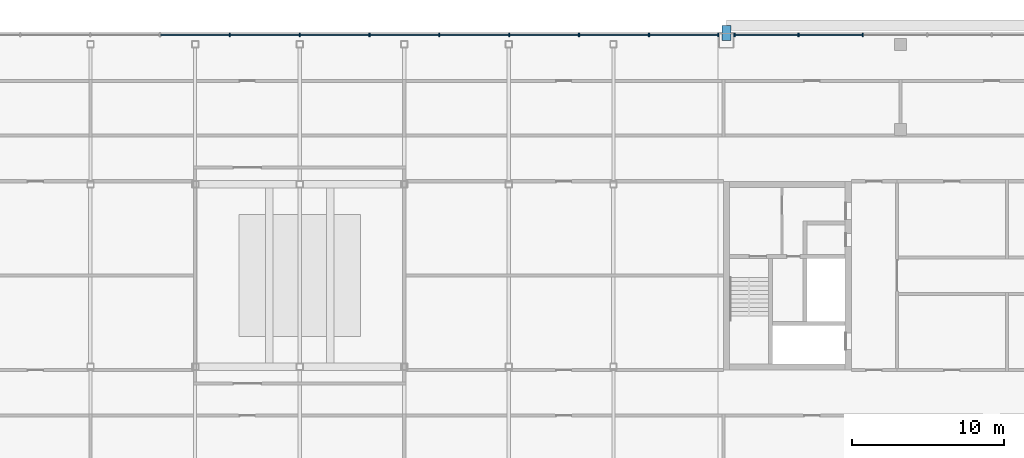
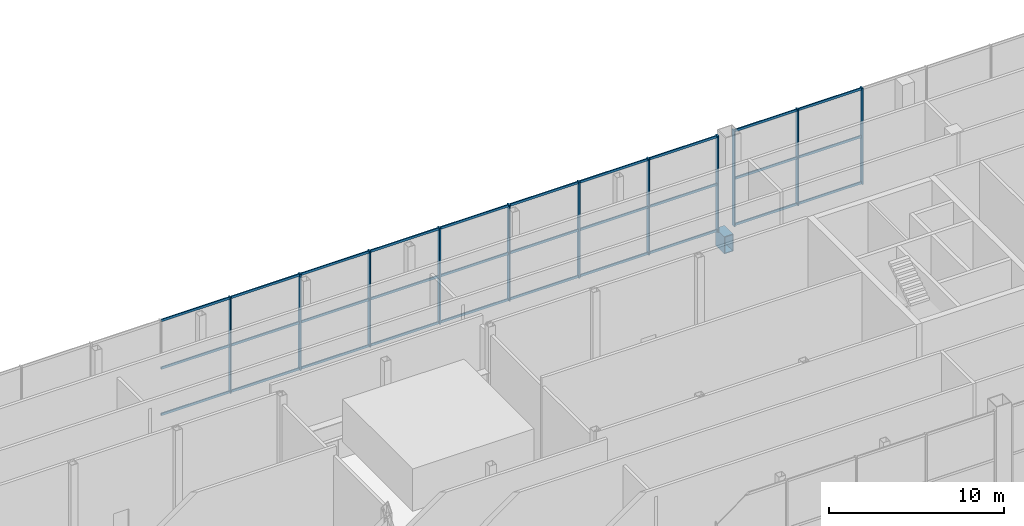
# One storey, part 11 of 27: 41 members, 1 beam, 2 elements without a shape of their own.
"""IFC4 building model written with IfcOpenShell, lengths in metres."""

import ifcopenshell
import ifcopenshell.guid

model = None  # the IFC model being written
_history = None  # IfcOwnerHistory: only IFC2X3 demands one
_inside = {}  # id of a spatial element -> (the spatial element, [elements in it])
_under = {}  # id of a project, library or spatial element -> (it, [spatial elements below it])
_declared = {}  # id of a project -> (the project, [libraries it declares])
_typed = {}  # id of a type object -> (the type object, [elements of that type])
_made_of = {}  # id of a material, layer set ... -> (it, [elements and type objects made of it])


def new_model(schema):
    """Start an empty IFC model of exactly this schema.

    Asked for "IFC4X3", IfcOpenShell would pick the latest addendum, in which some entities
    have other attributes; the version numbers below select the first issue.
    IFC2X3 requires an IfcOwnerHistory on every rooted entity: one is made here for all.
    """
    global model, _history
    if schema == "IFC4X3":
        model = ifcopenshell.file(schema_version=(4, 3, 0, 0))
    else:
        model = ifcopenshell.file(schema=schema)
    _inside.clear()
    _under.clear()
    _declared.clear()
    _typed.clear()
    _made_of.clear()
    _history = None
    if model.schema == "IFC2X3":
        org = make("IfcOrganization", Name="unknown")
        user = make(
            "IfcPersonAndOrganization",
            ThePerson=make("IfcPerson", FamilyName="unknown"),
            TheOrganization=org,
        )
        app = make(
            "IfcApplication",
            ApplicationDeveloper=org,
            Version="unknown",
            ApplicationFullName="unknown",
            ApplicationIdentifier="unknown",
        )
        _history = make(
            "IfcOwnerHistory",
            OwningUser=user,
            OwningApplication=app,
            ChangeAction="ADDED",
            CreationDate=0,
        )
    return model


def make(cls, **values):
    """One entity of the class cls with the attributes given. An attribute that is None is left unset."""
    return model.create_entity(
        cls, **{name: value for name, value in values.items() if value is not None}
    )


def rooted(cls, **values):
    """An entity with a GlobalId (a new one), such as an element, a storey or a relation."""
    return make(cls, GlobalId=ifcopenshell.guid.new(), OwnerHistory=_history, **values)


def si_unit(unit_type, name, prefix=None):
    """IfcSIUnit, for example si_unit("LENGTHUNIT", "METRE", prefix="MILLI")."""
    return make("IfcSIUnit", UnitType=unit_type, Prefix=prefix, Name=name)


def assignment(units):
    """IfcUnitAssignment: the units of a project."""
    return None if units is None else make("IfcUnitAssignment", Units=units)


def point(xyz):
    """IfcCartesianPoint."""
    return None if xyz is None else make("IfcCartesianPoint", Coordinates=xyz)


def direction(xyz):
    """IfcDirection."""
    return None if xyz is None else make("IfcDirection", DirectionRatios=xyz)


def frame(location, z_axis=None, x_axis=None):
    """IfcAxis2Placement3D, a coordinate frame: its origin and axes. An axis left out is left unset."""
    return make(
        "IfcAxis2Placement3D",
        Location=point(location),
        Axis=direction(z_axis),
        RefDirection=direction(x_axis),
    )


def frame_2d(location, x_axis=None):
    """IfcAxis2Placement2D, a coordinate frame in the plane: its origin and x axis."""
    return make(
        "IfcAxis2Placement2D", Location=point(location), RefDirection=direction(x_axis)
    )


def origin():
    """The frame at (0, 0, 0) with its axes left unset."""
    return frame((0.0, 0.0, 0.0))


def origin_2d():
    """The frame at (0, 0) in the plane with its x axis left unset."""
    return frame_2d((0.0, 0.0))


def place(relative_to, where):
    """IfcLocalPlacement: puts the frame where relative to a parent placement (None: the world)."""
    return make(
        "IfcLocalPlacement", PlacementRelTo=relative_to, RelativePlacement=where
    )


def context(
    kind, dimensions, precision=None, world=None, true_north=None, identifier=None
):
    """IfcGeometricRepresentationContext, for example the 3D "Model" context."""
    return make(
        "IfcGeometricRepresentationContext",
        ContextIdentifier=identifier,
        ContextType=kind,
        CoordinateSpaceDimension=dimensions,
        Precision=precision,
        WorldCoordinateSystem=world,
        TrueNorth=true_north,
    )


def subcontext(parent, identifier, kind, view, scale=None):
    """IfcGeometricRepresentationSubContext, for example "Body" below "Model"."""
    return make(
        "IfcGeometricRepresentationSubContext",
        ContextIdentifier=identifier,
        ContextType=kind,
        ParentContext=parent,
        TargetScale=scale,
        TargetView=view,
    )


def project(units=None, contexts=None):
    """IfcProject with its units and contexts."""
    return rooted(
        "IfcProject",
        Name="project",
        RepresentationContexts=contexts,
        UnitsInContext=assignment(units),
    )


def spatial(cls, under=None, at=None, **own):
    """A site, building, storey or space (cls), placed at a placement, below another one or the project."""
    s = rooted(cls, ObjectPlacement=at, **own)
    if under is not None:
        _under.setdefault(under.id(), (under, []))[1].append(s)
    return s


def profile(cls, at=None, kind="AREA", **sizes):
    """A parametric profile (cls). Its sizes go by their IFC names, for example OverallWidth=200.0."""
    return make(cls, ProfileType=kind, Position=at, **sizes)


def rectangle(**sizes):
    """IfcRectangleProfileDef."""
    return profile("IfcRectangleProfileDef", **sizes)


def hollow_rectangle(**sizes):
    """IfcRectangleHollowProfileDef."""
    return profile("IfcRectangleHollowProfileDef", **sizes)


def extrude(swept, where, along, depth):
    """IfcExtrudedAreaSolid: the profile swept, set in the frame where, extruded along a direction by depth."""
    return make(
        "IfcExtrudedAreaSolid",
        SweptArea=swept,
        Position=where,
        ExtrudedDirection=direction(along),
        Depth=depth,
    )


def shape(context_of_items, identifier, shape_type, items):
    """IfcShapeRepresentation: the items that make up one representation, for example the "Body"."""
    return make(
        "IfcShapeRepresentation",
        ContextOfItems=context_of_items,
        RepresentationIdentifier=identifier,
        RepresentationType=shape_type,
        Items=items,
    )


def material(Name=None, Category=None):
    """IfcMaterial."""
    return make("IfcMaterial", Name=Name, Category=Category)


def material_profile(
    of_material, cross_section, Name=None, Category=None, Priority=None
):
    """IfcMaterialProfile: a cross section and its material."""
    return make(
        "IfcMaterialProfile",
        Name=Name,
        Material=of_material,
        Profile=cross_section,
        Priority=Priority,
        Category=Category,
    )


def profile_set(profiles, Name=None, composite=None):
    """IfcMaterialProfileSet."""
    return make(
        "IfcMaterialProfileSet",
        Name=Name,
        MaterialProfiles=profiles,
        CompositeProfile=composite,
    )


def made_of(thing, what):
    """Note that an element or type object is made of a material, layer set ...; save() writes the relation."""
    if what is not None:
        _made_of.setdefault(what.id(), (what, []))[1].append(thing)
    return thing


def type_object(cls, material=None, **own):
    """A type object (cls), such as IfcWallType, which elements share."""
    return made_of(rooted(cls, **own), material)


def element(
    cls,
    number,
    at=None,
    inside=None,
    cuts=None,
    type_object=None,
    material=None,
    context=None,
    identifier="Body",
    shape_type=None,
    held_by="IfcProductDefinitionShape",
    body=None,
    shapes=None,
    **own,
):
    """One element of the class cls, such as IfcWall. Its Tag is "e" and its number.

    at: its placement. inside: the storey or other place that contains it. cuts: it is an
    opening in that element (IfcRelVoidsElement). A single representation is given by context,
    identifier, shape_type and body (its items); several are given by shapes. held_by: the class
    of the entity that holds the representations. save() writes the other relations.
    """
    e = rooted(cls, Tag="e%d" % number, ObjectPlacement=at, **own)
    if body is not None:
        shapes = [shape(context, identifier, shape_type, body)]
    if shapes is not None:
        e.Representation = make(held_by, Representations=shapes)
    if inside is not None:
        _inside.setdefault(inside.id(), (inside, []))[1].append(e)
    if cuts is not None:
        rooted(
            "IfcRelVoidsElement", RelatingBuildingElement=cuts, RelatedOpeningElement=e
        )
    if type_object is not None:
        _typed.setdefault(type_object.id(), (type_object, []))[1].append(e)
    return made_of(e, material)


def aggregate(whole, parts):
    """IfcRelAggregates: a whole, such as a stair, and the parts it consists of."""
    return rooted("IfcRelAggregates", RelatingObject=whole, RelatedObjects=parts)


def save(model, path):
    """Write the relations noted so far, then the file.

    IfcRelAggregates (storeys below a building ...), IfcRelContainedInSpatialStructure (elements
    in a storey), IfcRelDefinesByType, IfcRelAssociatesMaterial and IfcRelDeclares: one each for
    every whole, place, type object, material and project.
    """
    for whole, parts in _under.values():
        aggregate(whole, parts)
    for where, things in _inside.values():
        rooted(
            "IfcRelContainedInSpatialStructure",
            RelatedElements=things,
            RelatingStructure=where,
        )
    for kind, things in _typed.values():
        rooted("IfcRelDefinesByType", RelatedObjects=things, RelatingType=kind)
    for what, things in _made_of.values():
        rooted("IfcRelAssociatesMaterial", RelatedObjects=things, RelatingMaterial=what)
    for by, libraries in _declared.values():
        rooted("IfcRelDeclares", RelatingContext=by, RelatedDefinitions=libraries)
    model.write(path)


model = new_model("IFC4")

# Units and contexts
model_context = context("Model", 3, precision=1e-05, world=origin(), true_north=direction((0.0, 1.0)))
body_context = subcontext(model_context, "Body", "Model", "MODEL_VIEW")
ifc_project = project(units=[si_unit("LENGTHUNIT", "METRE"), si_unit("AREAUNIT", "SQUARE_METRE"), si_unit("VOLUMEUNIT", "CUBIC_METRE"), si_unit("PLANEANGLEUNIT", "RADIAN"), si_unit("MASSUNIT", "GRAM", prefix="KILO")], contexts=[model_context])

# Site, building, storey
site_placement = place(None, origin())
site = spatial("IfcSite", under=ifc_project, at=site_placement, CompositionType="ELEMENT")
building_placement = place(site_placement, origin())
building = spatial("IfcBuilding", under=site, at=building_placement, Name="Tuart Gate Housing", CompositionType="ELEMENT")
storey_placement = place(building_placement, frame((0.0, 0.0, 236.89990234375)))
storey = spatial("IfcBuildingStorey", under=building, at=storey_placement, Name="L67", CompositionType="ELEMENT", Elevation=236.89990234375)

# Beam
ifc_material_1 = material(Name="Steel Grade 350", Category="steel")
ifc_material_profile_1 = material_profile(ifc_material_1, hollow_rectangle(XDim=0.60009765625, YDim=1.199951171875, WallThickness=0.0400390625, at=origin_2d()), Name="BOX 1200x600x40")
ifc_profile_set_1 = profile_set([ifc_material_profile_1], Name="Steel Grade 350")
beam_type = type_object("IfcBeamType", Name="Brace shoe BOX 1200x600x40", PredefinedType="BEAM", material=ifc_profile_set_1)
beam_placement = place(storey_placement, frame((131.550048828125, 85.449951171875, -0.849853515625), z_axis=(0.0, 1.0, 0.0), x_axis=(-1.0, 0.0, 0.0)))
element("IfcBeam", 1, at=beam_placement, inside=storey, type_object=beam_type, Name="Mega tie beam B node 8 north shoe 0 L67", PredefinedType="BEAM", context=body_context, shape_type="SweptSolid", body=[
    extrude(hollow_rectangle(XDim=0.60009765625, YDim=1.199951171875, WallThickness=0.0400390625, at=origin_2d()), origin(), (0.0, 0.0, 1.0), 1.0),
])

# Curtain wall, members
ifc_material_2 = material(Name="Aluminium and clear glass", Category="aluminium")
curtain_wall_type = type_object("IfcCurtainWallType", Name="Damper floor glazing", PredefinedType="USERDEFINED", material=ifc_material_2)
curtain_wall_1_placement = place(storey_placement, origin())
curtain_wall_1 = element("IfcCurtainWall", 2, at=curtain_wall_1_placement, inside=storey, type_object=curtain_wall_type, Name="Damper floor glazing BLK-N L67", ObjectType="DAMPER FLOOR GLAZING", PredefinedType="USERDEFINED")
ifc_material_3 = material(Name="Anodised aluminium", Category="aluminium")
ifc_material_profile_2 = material_profile(ifc_material_3, rectangle(XDim=0.080078125, YDim=0.25, at=origin_2d()), Name="80x250")
ifc_profile_set_2 = profile_set([ifc_material_profile_2], Name="Anodised aluminium")
member_type_1 = type_object("IfcMemberType", Name="Mullion 80 x 250", PredefinedType="MULLION", material=ifc_profile_set_2)
member_1_placement = place(storey_placement, frame((140.518798828125, 85.820068359375, 0.0), z_axis=(0.0, 0.0, 1.0), x_axis=(-1.0, 0.0, 0.0)))
member_1 = element("IfcMember", 3, at=member_1_placement, type_object=member_type_1, Name="CW5 mullion 7", PredefinedType="MULLION", context=body_context, shape_type="SweptSolid", body=[
    extrude(rectangle(XDim=0.080078125, YDim=0.25, at=origin_2d()), origin(), (0.0, 0.0, 1.0), 6.7001953125),
])
member_2_placement = place(storey_placement, frame((136.284423828125, 85.820068359375, 0.0), z_axis=(0.0, 0.0, 1.0), x_axis=(-1.0, 0.0, 0.0)))
member_2 = element("IfcMember", 4, at=member_2_placement, type_object=member_type_1, Name="CW5 mullion 8", PredefinedType="MULLION", context=body_context, shape_type="SweptSolid", body=[
    extrude(rectangle(XDim=0.080078125, YDim=0.25, at=origin_2d()), origin(), (0.0, 0.0, 1.0), 6.7001953125),
])
member_3_placement = place(storey_placement, frame((132.090087890625, 85.820068359375, 0.0), z_axis=(0.0, 0.0, 1.0), x_axis=(-1.0, 0.0, 0.0)))
member_3 = element("IfcMember", 5, at=member_3_placement, type_object=member_type_1, Name="CW5 mullion 9", PredefinedType="MULLION", context=body_context, shape_type="SweptSolid", body=[
    extrude(rectangle(XDim=0.080078125, YDim=0.25, at=origin_2d()), origin(), (0.0, 0.0, 1.0), 6.7001953125),
])

curtain_wall_2_placement = place(storey_placement, origin())
curtain_wall_2 = element("IfcCurtainWall", 6, at=curtain_wall_2_placement, inside=storey, type_object=curtain_wall_type, Name="Damper floor glazing BLK-N L67", ObjectType="DAMPER FLOOR GLAZING", PredefinedType="USERDEFINED")
member_4_placement = place(storey_placement, frame((131.010009765625, 85.820068359375, 0.0), z_axis=(0.0, 0.0, 1.0), x_axis=(-1.0, 0.0, 0.0)))
member_4 = element("IfcMember", 7, at=member_4_placement, type_object=member_type_1, Name="CW5 mullion 1", PredefinedType="MULLION", context=body_context, shape_type="SweptSolid", body=[
    extrude(rectangle(XDim=0.080078125, YDim=0.25, at=origin_2d()), origin(), (0.0, 0.0, 1.0), 6.7001953125),
])
member_5_placement = place(storey_placement, frame((126.458251953125, 85.820068359375, 0.0), z_axis=(0.0, 0.0, 1.0), x_axis=(-1.0, 0.0, 0.0)))
member_5 = element("IfcMember", 8, at=member_5_placement, type_object=member_type_1, Name="CW5 mullion 2", PredefinedType="MULLION", context=body_context, shape_type="SweptSolid", body=[
    extrude(rectangle(XDim=0.080078125, YDim=0.25, at=origin_2d()), origin(), (0.0, 0.0, 1.0), 6.7001953125),
])
member_6_placement = place(storey_placement, frame((121.86669921875, 85.820068359375, 0.0), z_axis=(0.0, 0.0, 1.0), x_axis=(-1.0, 0.0, 0.0)))
member_6 = element("IfcMember", 9, at=member_6_placement, type_object=member_type_1, Name="CW5 mullion 3", PredefinedType="MULLION", context=body_context, shape_type="SweptSolid", body=[
    extrude(rectangle(XDim=0.080078125, YDim=0.25, at=origin_2d()), origin(), (0.0, 0.0, 1.0), 6.7001953125),
])
member_7_placement = place(storey_placement, frame((117.27490234375, 85.820068359375, 0.0), z_axis=(0.0, 0.0, 1.0), x_axis=(-1.0, 0.0, 0.0)))
member_7 = element("IfcMember", 10, at=member_7_placement, type_object=member_type_1, Name="CW5 mullion 4", PredefinedType="MULLION", context=body_context, shape_type="SweptSolid", body=[
    extrude(rectangle(XDim=0.080078125, YDim=0.25, at=origin_2d()), origin(), (0.0, 0.0, 1.0), 6.7001953125),
])
member_8_placement = place(storey_placement, frame((112.683349609375, 85.820068359375, 0.0), z_axis=(0.0, 0.0, 1.0), x_axis=(-1.0, 0.0, 0.0)))
member_8 = element("IfcMember", 11, at=member_8_placement, type_object=member_type_1, Name="CW5 mullion 5", PredefinedType="MULLION", context=body_context, shape_type="SweptSolid", body=[
    extrude(rectangle(XDim=0.080078125, YDim=0.25, at=origin_2d()), origin(), (0.0, 0.0, 1.0), 6.7001953125),
])
member_9_placement = place(storey_placement, frame((108.091552734375, 85.820068359375, 0.0), z_axis=(0.0, 0.0, 1.0), x_axis=(-1.0, 0.0, 0.0)))
member_9 = element("IfcMember", 12, at=member_9_placement, type_object=member_type_1, Name="CW5 mullion 6", PredefinedType="MULLION", context=body_context, shape_type="SweptSolid", body=[
    extrude(rectangle(XDim=0.080078125, YDim=0.25, at=origin_2d()), origin(), (0.0, 0.0, 1.0), 6.7001953125),
])
member_10_placement = place(storey_placement, frame((103.5, 85.820068359375, 0.0), z_axis=(0.0, 0.0, 1.0), x_axis=(-1.0, 0.0, 0.0)))
member_10 = element("IfcMember", 13, at=member_10_placement, type_object=member_type_1, Name="CW5 mullion 7", PredefinedType="MULLION", context=body_context, shape_type="SweptSolid", body=[
    extrude(rectangle(XDim=0.080078125, YDim=0.25, at=origin_2d()), origin(), (0.0, 0.0, 1.0), 6.7001953125),
])
member_11_placement = place(storey_placement, frame((98.908447265625, 85.820068359375, 0.0), z_axis=(0.0, 0.0, 1.0), x_axis=(-1.0, 0.0, 0.0)))
member_11 = element("IfcMember", 14, at=member_11_placement, type_object=member_type_1, Name="CW5 mullion 8", PredefinedType="MULLION", context=body_context, shape_type="SweptSolid", body=[
    extrude(rectangle(XDim=0.080078125, YDim=0.25, at=origin_2d()), origin(), (0.0, 0.0, 1.0), 6.7001953125),
])

# Member
ifc_material_4 = material(Name="Anodised aluminium", Category="aluminium")
ifc_material_profile_3 = material_profile(ifc_material_4, rectangle(XDim=0.080078125, YDim=0.159912109375, at=origin_2d()), Name="80x160")
ifc_profile_set_3 = profile_set([ifc_material_profile_3], Name="Anodised aluminium")
member_type_2 = type_object("IfcMemberType", Name="Transom 80 x 160", PredefinedType="USERDEFINED", material=ifc_profile_set_3)
member_12_placement = place(storey_placement, frame((140.478759765625, 85.820068359375, 0.080078125), z_axis=(-1.0, 0.0, 0.0), x_axis=(0.0, -1.0, 0.0)))
member_12 = element("IfcMember", 15, at=member_12_placement, type_object=member_type_2, Name="CW5 transom 7.1", ObjectType="TRANSOM", PredefinedType="USERDEFINED", context=body_context, shape_type="SweptSolid", body=[
    extrude(rectangle(XDim=0.080078125, YDim=0.159912109375, at=origin_2d()), origin(), (0.0, 0.0, 1.0), 4.154296875),
])

member_13_placement = place(storey_placement, frame((140.478759765625, 85.820068359375, 3.300048828125), z_axis=(-1.0, 0.0, 0.0), x_axis=(0.0, -1.0, 0.0)))
member_13 = element("IfcMember", 16, at=member_13_placement, type_object=member_type_2, Name="CW5 transom 7.2", ObjectType="TRANSOM", PredefinedType="USERDEFINED", context=body_context, shape_type="SweptSolid", body=[
    extrude(rectangle(XDim=0.080078125, YDim=0.159912109375, at=origin_2d()), origin(), (0.0, 0.0, 1.0), 4.154296875),
])

member_14_placement = place(storey_placement, frame((140.478759765625, 85.820068359375, 6.6201171875), z_axis=(-1.0, 0.0, 0.0), x_axis=(0.0, -1.0, 0.0)))
member_14 = element("IfcMember", 17, at=member_14_placement, type_object=member_type_2, Name="CW5 transom 7.3", ObjectType="TRANSOM", PredefinedType="USERDEFINED", context=body_context, shape_type="SweptSolid", body=[
    extrude(rectangle(XDim=0.080078125, YDim=0.159912109375, at=origin_2d()), origin(), (0.0, 0.0, 1.0), 4.154296875),
])

member_15_placement = place(storey_placement, frame((136.244384765625, 85.820068359375, 0.080078125), z_axis=(-1.0, 0.0, 0.0), x_axis=(0.0, -1.0, 0.0)))
member_15 = element("IfcMember", 18, at=member_15_placement, type_object=member_type_2, Name="CW5 transom 8.1", ObjectType="TRANSOM", PredefinedType="USERDEFINED", context=body_context, shape_type="SweptSolid", body=[
    extrude(rectangle(XDim=0.080078125, YDim=0.159912109375, at=origin_2d()), origin(), (0.0, 0.0, 1.0), 4.114501953125),
])

member_16_placement = place(storey_placement, frame((136.244384765625, 85.820068359375, 3.300048828125), z_axis=(-1.0, 0.0, 0.0), x_axis=(0.0, -1.0, 0.0)))
member_16 = element("IfcMember", 19, at=member_16_placement, type_object=member_type_2, Name="CW5 transom 8.2", ObjectType="TRANSOM", PredefinedType="USERDEFINED", context=body_context, shape_type="SweptSolid", body=[
    extrude(rectangle(XDim=0.080078125, YDim=0.159912109375, at=origin_2d()), origin(), (0.0, 0.0, 1.0), 4.114501953125),
])

member_17_placement = place(storey_placement, frame((136.244384765625, 85.820068359375, 6.6201171875), z_axis=(-1.0, 0.0, 0.0), x_axis=(0.0, -1.0, 0.0)))
member_17 = element("IfcMember", 20, at=member_17_placement, type_object=member_type_2, Name="CW5 transom 8.3", ObjectType="TRANSOM", PredefinedType="USERDEFINED", context=body_context, shape_type="SweptSolid", body=[
    extrude(rectangle(XDim=0.080078125, YDim=0.159912109375, at=origin_2d()), origin(), (0.0, 0.0, 1.0), 4.114501953125),
])

aggregate(curtain_wall_1, [member_1, member_2, member_3, member_12, member_13, member_14, member_15, member_16, member_17])

member_18_placement = place(storey_placement, frame((130.969970703125, 85.820068359375, 0.080078125), z_axis=(-1.0, 0.0, 0.0), x_axis=(0.0, -1.0, 0.0)))
member_18 = element("IfcMember", 21, at=member_18_placement, type_object=member_type_2, Name="CW5 transom 1.1", ObjectType="TRANSOM", PredefinedType="USERDEFINED", context=body_context, shape_type="SweptSolid", body=[
    extrude(rectangle(XDim=0.080078125, YDim=0.159912109375, at=origin_2d()), origin(), (0.0, 0.0, 1.0), 4.4716796875),
])

member_19_placement = place(storey_placement, frame((130.969970703125, 85.820068359375, 3.300048828125), z_axis=(-1.0, 0.0, 0.0), x_axis=(0.0, -1.0, 0.0)))
member_19 = element("IfcMember", 22, at=member_19_placement, type_object=member_type_2, Name="CW5 transom 1.2", ObjectType="TRANSOM", PredefinedType="USERDEFINED", context=body_context, shape_type="SweptSolid", body=[
    extrude(rectangle(XDim=0.080078125, YDim=0.159912109375, at=origin_2d()), origin(), (0.0, 0.0, 1.0), 4.4716796875),
])

member_20_placement = place(storey_placement, frame((130.969970703125, 85.820068359375, 6.6201171875), z_axis=(-1.0, 0.0, 0.0), x_axis=(0.0, -1.0, 0.0)))
member_20 = element("IfcMember", 23, at=member_20_placement, type_object=member_type_2, Name="CW5 transom 1.3", ObjectType="TRANSOM", PredefinedType="USERDEFINED", context=body_context, shape_type="SweptSolid", body=[
    extrude(rectangle(XDim=0.080078125, YDim=0.159912109375, at=origin_2d()), origin(), (0.0, 0.0, 1.0), 4.4716796875),
])

member_21_placement = place(storey_placement, frame((126.418212890625, 85.820068359375, 0.080078125), z_axis=(-1.0, 0.0, 0.0), x_axis=(0.0, -1.0, 0.0)))
member_21 = element("IfcMember", 24, at=member_21_placement, type_object=member_type_2, Name="CW5 transom 2.1", ObjectType="TRANSOM", PredefinedType="USERDEFINED", context=body_context, shape_type="SweptSolid", body=[
    extrude(rectangle(XDim=0.080078125, YDim=0.159912109375, at=origin_2d()), origin(), (0.0, 0.0, 1.0), 4.511474609375),
])

member_22_placement = place(storey_placement, frame((126.418212890625, 85.820068359375, 3.300048828125), z_axis=(-1.0, 0.0, 0.0), x_axis=(0.0, -1.0, 0.0)))
member_22 = element("IfcMember", 25, at=member_22_placement, type_object=member_type_2, Name="CW5 transom 2.2", ObjectType="TRANSOM", PredefinedType="USERDEFINED", context=body_context, shape_type="SweptSolid", body=[
    extrude(rectangle(XDim=0.080078125, YDim=0.159912109375, at=origin_2d()), origin(), (0.0, 0.0, 1.0), 4.511474609375),
])

member_23_placement = place(storey_placement, frame((126.418212890625, 85.820068359375, 6.6201171875), z_axis=(-1.0, 0.0, 0.0), x_axis=(0.0, -1.0, 0.0)))
member_23 = element("IfcMember", 26, at=member_23_placement, type_object=member_type_2, Name="CW5 transom 2.3", ObjectType="TRANSOM", PredefinedType="USERDEFINED", context=body_context, shape_type="SweptSolid", body=[
    extrude(rectangle(XDim=0.080078125, YDim=0.159912109375, at=origin_2d()), origin(), (0.0, 0.0, 1.0), 4.511474609375),
])

member_24_placement = place(storey_placement, frame((121.82666015625, 85.820068359375, 0.080078125), z_axis=(-1.0, 0.0, 0.0), x_axis=(0.0, -1.0, 0.0)))
member_24 = element("IfcMember", 27, at=member_24_placement, type_object=member_type_2, Name="CW5 transom 3.1", ObjectType="TRANSOM", PredefinedType="USERDEFINED", context=body_context, shape_type="SweptSolid", body=[
    extrude(rectangle(XDim=0.080078125, YDim=0.159912109375, at=origin_2d()), origin(), (0.0, 0.0, 1.0), 4.51171875),
])

member_25_placement = place(storey_placement, frame((121.82666015625, 85.820068359375, 3.300048828125), z_axis=(-1.0, 0.0, 0.0), x_axis=(0.0, -1.0, 0.0)))
member_25 = element("IfcMember", 28, at=member_25_placement, type_object=member_type_2, Name="CW5 transom 3.2", ObjectType="TRANSOM", PredefinedType="USERDEFINED", context=body_context, shape_type="SweptSolid", body=[
    extrude(rectangle(XDim=0.080078125, YDim=0.159912109375, at=origin_2d()), origin(), (0.0, 0.0, 1.0), 4.51171875),
])

member_26_placement = place(storey_placement, frame((121.82666015625, 85.820068359375, 6.6201171875), z_axis=(-1.0, 0.0, 0.0), x_axis=(0.0, -1.0, 0.0)))
member_26 = element("IfcMember", 29, at=member_26_placement, type_object=member_type_2, Name="CW5 transom 3.3", ObjectType="TRANSOM", PredefinedType="USERDEFINED", context=body_context, shape_type="SweptSolid", body=[
    extrude(rectangle(XDim=0.080078125, YDim=0.159912109375, at=origin_2d()), origin(), (0.0, 0.0, 1.0), 4.51171875),
])

member_27_placement = place(storey_placement, frame((117.235107421875, 85.820068359375, 0.080078125), z_axis=(-1.0, 0.0, 0.0), x_axis=(0.0, -1.0, 0.0)))
member_27 = element("IfcMember", 30, at=member_27_placement, type_object=member_type_2, Name="CW5 transom 4.1", ObjectType="TRANSOM", PredefinedType="USERDEFINED", context=body_context, shape_type="SweptSolid", body=[
    extrude(rectangle(XDim=0.080078125, YDim=0.159912109375, at=origin_2d()), origin(), (0.0, 0.0, 1.0), 4.51171875),
])

member_28_placement = place(storey_placement, frame((117.235107421875, 85.820068359375, 3.300048828125), z_axis=(-1.0, 0.0, 0.0), x_axis=(0.0, -1.0, 0.0)))
member_28 = element("IfcMember", 31, at=member_28_placement, type_object=member_type_2, Name="CW5 transom 4.2", ObjectType="TRANSOM", PredefinedType="USERDEFINED", context=body_context, shape_type="SweptSolid", body=[
    extrude(rectangle(XDim=0.080078125, YDim=0.159912109375, at=origin_2d()), origin(), (0.0, 0.0, 1.0), 4.51171875),
])

member_29_placement = place(storey_placement, frame((117.235107421875, 85.820068359375, 6.6201171875), z_axis=(-1.0, 0.0, 0.0), x_axis=(0.0, -1.0, 0.0)))
member_29 = element("IfcMember", 32, at=member_29_placement, type_object=member_type_2, Name="CW5 transom 4.3", ObjectType="TRANSOM", PredefinedType="USERDEFINED", context=body_context, shape_type="SweptSolid", body=[
    extrude(rectangle(XDim=0.080078125, YDim=0.159912109375, at=origin_2d()), origin(), (0.0, 0.0, 1.0), 4.51171875),
])

member_30_placement = place(storey_placement, frame((112.643310546875, 85.820068359375, 0.080078125), z_axis=(-1.0, 0.0, 0.0), x_axis=(0.0, -1.0, 0.0)))
member_30 = element("IfcMember", 33, at=member_30_placement, type_object=member_type_2, Name="CW5 transom 5.1", ObjectType="TRANSOM", PredefinedType="USERDEFINED", context=body_context, shape_type="SweptSolid", body=[
    extrude(rectangle(XDim=0.080078125, YDim=0.159912109375, at=origin_2d()), origin(), (0.0, 0.0, 1.0), 4.51171875),
])

member_31_placement = place(storey_placement, frame((112.643310546875, 85.820068359375, 3.300048828125), z_axis=(-1.0, 0.0, 0.0), x_axis=(0.0, -1.0, 0.0)))
member_31 = element("IfcMember", 34, at=member_31_placement, type_object=member_type_2, Name="CW5 transom 5.2", ObjectType="TRANSOM", PredefinedType="USERDEFINED", context=body_context, shape_type="SweptSolid", body=[
    extrude(rectangle(XDim=0.080078125, YDim=0.159912109375, at=origin_2d()), origin(), (0.0, 0.0, 1.0), 4.51171875),
])

member_32_placement = place(storey_placement, frame((112.643310546875, 85.820068359375, 6.6201171875), z_axis=(-1.0, 0.0, 0.0), x_axis=(0.0, -1.0, 0.0)))
member_32 = element("IfcMember", 35, at=member_32_placement, type_object=member_type_2, Name="CW5 transom 5.3", ObjectType="TRANSOM", PredefinedType="USERDEFINED", context=body_context, shape_type="SweptSolid", body=[
    extrude(rectangle(XDim=0.080078125, YDim=0.159912109375, at=origin_2d()), origin(), (0.0, 0.0, 1.0), 4.51171875),
])

member_33_placement = place(storey_placement, frame((108.0517578125, 85.820068359375, 0.080078125), z_axis=(-1.0, 0.0, 0.0), x_axis=(0.0, -1.0, 0.0)))
member_33 = element("IfcMember", 36, at=member_33_placement, type_object=member_type_2, Name="CW5 transom 6.1", ObjectType="TRANSOM", PredefinedType="USERDEFINED", context=body_context, shape_type="SweptSolid", body=[
    extrude(rectangle(XDim=0.080078125, YDim=0.159912109375, at=origin_2d()), origin(), (0.0, 0.0, 1.0), 4.51171875),
])

member_34_placement = place(storey_placement, frame((108.0517578125, 85.820068359375, 3.300048828125), z_axis=(-1.0, 0.0, 0.0), x_axis=(0.0, -1.0, 0.0)))
member_34 = element("IfcMember", 37, at=member_34_placement, type_object=member_type_2, Name="CW5 transom 6.2", ObjectType="TRANSOM", PredefinedType="USERDEFINED", context=body_context, shape_type="SweptSolid", body=[
    extrude(rectangle(XDim=0.080078125, YDim=0.159912109375, at=origin_2d()), origin(), (0.0, 0.0, 1.0), 4.51171875),
])

member_35_placement = place(storey_placement, frame((108.0517578125, 85.820068359375, 6.6201171875), z_axis=(-1.0, 0.0, 0.0), x_axis=(0.0, -1.0, 0.0)))
member_35 = element("IfcMember", 38, at=member_35_placement, type_object=member_type_2, Name="CW5 transom 6.3", ObjectType="TRANSOM", PredefinedType="USERDEFINED", context=body_context, shape_type="SweptSolid", body=[
    extrude(rectangle(XDim=0.080078125, YDim=0.159912109375, at=origin_2d()), origin(), (0.0, 0.0, 1.0), 4.51171875),
])

member_36_placement = place(storey_placement, frame((103.4599609375, 85.820068359375, 0.080078125), z_axis=(-1.0, 0.0, 0.0), x_axis=(0.0, -1.0, 0.0)))
member_36 = element("IfcMember", 39, at=member_36_placement, type_object=member_type_2, Name="CW5 transom 7.1", ObjectType="TRANSOM", PredefinedType="USERDEFINED", context=body_context, shape_type="SweptSolid", body=[
    extrude(rectangle(XDim=0.080078125, YDim=0.159912109375, at=origin_2d()), origin(), (0.0, 0.0, 1.0), 4.51171875),
])

member_37_placement = place(storey_placement, frame((103.4599609375, 85.820068359375, 3.300048828125), z_axis=(-1.0, 0.0, 0.0), x_axis=(0.0, -1.0, 0.0)))
member_37 = element("IfcMember", 40, at=member_37_placement, type_object=member_type_2, Name="CW5 transom 7.2", ObjectType="TRANSOM", PredefinedType="USERDEFINED", context=body_context, shape_type="SweptSolid", body=[
    extrude(rectangle(XDim=0.080078125, YDim=0.159912109375, at=origin_2d()), origin(), (0.0, 0.0, 1.0), 4.51171875),
])

member_38_placement = place(storey_placement, frame((103.4599609375, 85.820068359375, 6.6201171875), z_axis=(-1.0, 0.0, 0.0), x_axis=(0.0, -1.0, 0.0)))
member_38 = element("IfcMember", 41, at=member_38_placement, type_object=member_type_2, Name="CW5 transom 7.3", ObjectType="TRANSOM", PredefinedType="USERDEFINED", context=body_context, shape_type="SweptSolid", body=[
    extrude(rectangle(XDim=0.080078125, YDim=0.159912109375, at=origin_2d()), origin(), (0.0, 0.0, 1.0), 4.51171875),
])

member_39_placement = place(storey_placement, frame((98.868408203125, 85.820068359375, 0.080078125), z_axis=(-1.0, 0.0, 0.0), x_axis=(0.0, -1.0, 0.0)))
member_39 = element("IfcMember", 42, at=member_39_placement, type_object=member_type_2, Name="CW5 transom 8.1", ObjectType="TRANSOM", PredefinedType="USERDEFINED", context=body_context, shape_type="SweptSolid", body=[
    extrude(rectangle(XDim=0.080078125, YDim=0.159912109375, at=origin_2d()), origin(), (0.0, 0.0, 1.0), 4.51171875),
])

member_40_placement = place(storey_placement, frame((98.868408203125, 85.820068359375, 3.300048828125), z_axis=(-1.0, 0.0, 0.0), x_axis=(0.0, -1.0, 0.0)))
member_40 = element("IfcMember", 43, at=member_40_placement, type_object=member_type_2, Name="CW5 transom 8.2", ObjectType="TRANSOM", PredefinedType="USERDEFINED", context=body_context, shape_type="SweptSolid", body=[
    extrude(rectangle(XDim=0.080078125, YDim=0.159912109375, at=origin_2d()), origin(), (0.0, 0.0, 1.0), 4.51171875),
])

member_41_placement = place(storey_placement, frame((98.868408203125, 85.820068359375, 6.6201171875), z_axis=(-1.0, 0.0, 0.0), x_axis=(0.0, -1.0, 0.0)))
member_41 = element("IfcMember", 44, at=member_41_placement, type_object=member_type_2, Name="CW5 transom 8.3", ObjectType="TRANSOM", PredefinedType="USERDEFINED", context=body_context, shape_type="SweptSolid", body=[
    extrude(rectangle(XDim=0.080078125, YDim=0.159912109375, at=origin_2d()), origin(), (0.0, 0.0, 1.0), 4.51171875),
])

aggregate(curtain_wall_2, [member_4, member_5, member_6, member_7, member_8, member_9, member_10, member_11, member_18, member_19, member_20, member_21, member_22, member_23, member_24, member_25, member_26, member_27, member_28, member_29, member_30, member_31, member_32, member_33, member_34, member_35, member_36, member_37, member_38, member_39, member_40, member_41])

save(model, "model.ifc")
